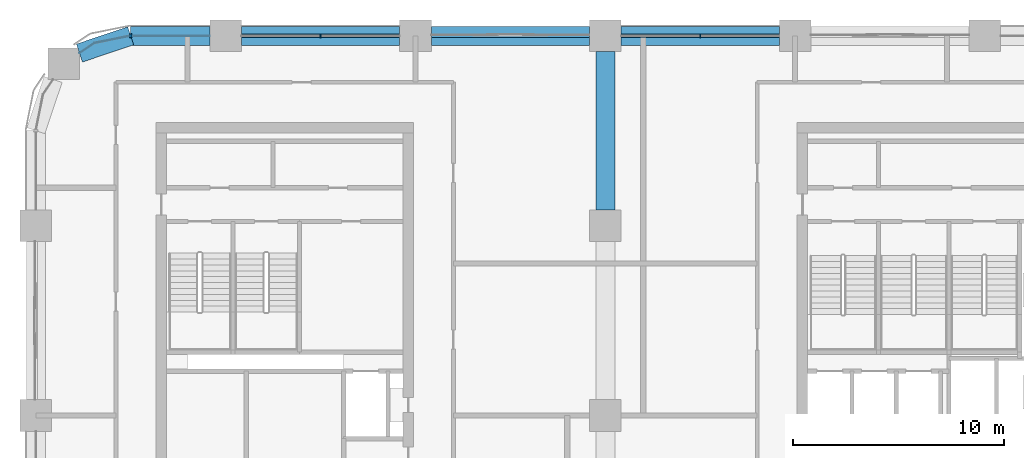
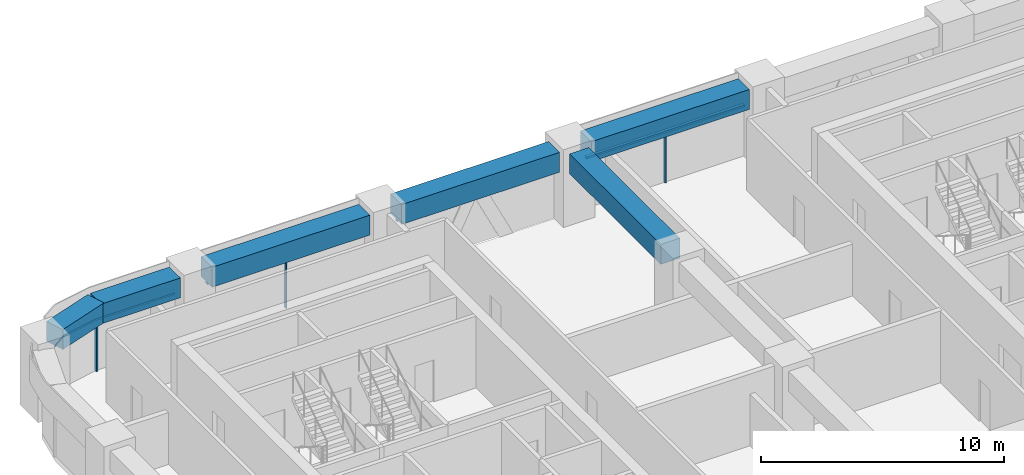
# One storey, part 4 of 18: 7 members, 6 beams, 4 elements without a shape of their own.
"""IFC4 building model written with IfcOpenShell, lengths in metres."""

from ifc_helpers import new_model, si_unit, direction, frame, origin, origin_2d, place, context, subcontext, project, spatial, polyline, rectangle, outline, extrude, material, material_profile, profile_set, type_object, element, aggregate, save


model = new_model("IFC4")

# Units and contexts
model_context = context("Model", 3, precision=1e-05, world=origin(), true_north=direction((0.0, 1.0)))
body_context = subcontext(model_context, "Body", "Model", "MODEL_VIEW")
ifc_project = project(units=[si_unit("LENGTHUNIT", "METRE"), si_unit("AREAUNIT", "SQUARE_METRE"), si_unit("VOLUMEUNIT", "CUBIC_METRE"), si_unit("PLANEANGLEUNIT", "RADIAN"), si_unit("MASSUNIT", "GRAM", prefix="KILO")], contexts=[model_context])

# Site, building, storey
site_placement = place(None, origin())
site = spatial("IfcSite", under=ifc_project, at=site_placement, CompositionType="ELEMENT")
building_placement = place(site_placement, origin())
building = spatial("IfcBuilding", under=site, at=building_placement, Name="Tessera Arch", CompositionType="ELEMENT")
storey_placement = place(building_placement, frame((0.0, 0.0, 185.60009765625)))
storey = spatial("IfcBuildingStorey", under=building, at=storey_placement, Name="L44", CompositionType="ELEMENT", Elevation=185.60009765625)

# Curtain wall, member
ifc_material_1 = material(Name="CW1 curtain wall")
curtain_wall_type_1 = type_object("IfcCurtainWallType", Name="CW1 curtain wall", PredefinedType="NOTDEFINED", material=ifc_material_1)
curtain_wall_1_placement = place(storey_placement, origin())
curtain_wall_1 = element("IfcCurtainWall", 1, at=curtain_wall_1_placement, inside=storey, type_object=curtain_wall_type_1, Name="CW1 curtain wall N54.0/2 L44", PredefinedType="NOTDEFINED")
ifc_material_2 = material(Name="Anodised aluminium pale metal", Category="aluminium")
ifc_material_profile_1 = material_profile(ifc_material_2, rectangle(XDim=0.159912109375, YDim=0.06005859375, at=origin_2d()), Name="AL 60x160")
ifc_profile_set_1 = profile_set([ifc_material_profile_1], Name="Anodised aluminium pale metal")
member_type_1 = type_object("IfcMemberType", Name="CW1 mullion", PredefinedType="MULLION", material=ifc_profile_set_1)
member_1_placement = place(storey_placement, frame((31.5, 54.0, 0.0), z_axis=(0.0, 0.0, 1.0), x_axis=(0.0, -1.0, 0.0)))
member_1 = element("IfcMember", 2, at=member_1_placement, type_object=member_type_1, Name="CW1 mullion N54.0/2 1", PredefinedType="MULLION", context=body_context, shape_type="SweptSolid", body=[
    extrude(rectangle(XDim=0.159912109375, YDim=0.06005859375, at=origin_2d()), origin(), (0.0, 0.0, 1.0), 2.5),
])

curtain_wall_2_placement = place(storey_placement, origin())
curtain_wall_2 = element("IfcCurtainWall", 3, at=curtain_wall_2_placement, inside=storey, type_object=curtain_wall_type_1, Name="CW1 curtain wall N54.0/4 L44", PredefinedType="NOTDEFINED")
member_2_placement = place(storey_placement, frame((13.5, 54.0, 0.0), z_axis=(0.0, 0.0, 1.0), x_axis=(0.0, -1.0, 0.0)))
member_2 = element("IfcMember", 4, at=member_2_placement, type_object=member_type_1, Name="CW1 mullion N54.0/4 1", PredefinedType="MULLION", context=body_context, shape_type="SweptSolid", body=[
    extrude(rectangle(XDim=0.159912109375, YDim=0.06005859375, at=origin_2d()), origin(), (0.0, 0.0, 1.0), 2.5),
])

# Member
ifc_material_3 = material(Name="Anodised aluminium pale metal", Category="aluminium")
ifc_material_profile_2 = material_profile(ifc_material_3, rectangle(XDim=0.159912109375, YDim=0.10009765625, at=origin_2d()), Name="AL 160x100")
ifc_profile_set_2 = profile_set([ifc_material_profile_2], Name="Anodised aluminium pale metal")
member_type_2 = type_object("IfcMemberType", Name="CW1 transom", PredefinedType="USERDEFINED", material=ifc_profile_set_2)
member_3_placement = place(storey_placement, frame((35.25, 54.0, 2.5498046875), z_axis=(-1.0, 0.0, 0.0), x_axis=(0.0, -1.0, 0.0)))
member_3 = element("IfcMember", 5, at=member_3_placement, type_object=member_type_2, Name="CW1 transom N54.0/2 1.1", ObjectType="TRANSOM", PredefinedType="USERDEFINED", context=body_context, shape_type="SweptSolid", body=[
    extrude(rectangle(XDim=0.159912109375, YDim=0.10009765625, at=origin_2d()), origin(), (0.0, 0.0, 1.0), 7.5),
])

aggregate(curtain_wall_1, [member_1, member_3])

member_4_placement = place(storey_placement, frame((17.25, 54.0, 2.5498046875), z_axis=(-1.0, 0.0, 0.0), x_axis=(0.0, -1.0, 0.0)))
member_4 = element("IfcMember", 6, at=member_4_placement, type_object=member_type_2, Name="CW1 transom N54.0/4 1.1", ObjectType="TRANSOM", PredefinedType="USERDEFINED", context=body_context, shape_type="SweptSolid", body=[
    extrude(rectangle(XDim=0.159912109375, YDim=0.10009765625, at=origin_2d()), origin(), (0.0, 0.0, 1.0), 7.5),
])

aggregate(curtain_wall_2, [member_2, member_4])

# Curtain wall, members
ifc_material_4 = material(Name="CW2 curtain wall")
curtain_wall_type_2 = type_object("IfcCurtainWallType", Name="CW2 curtain wall", PredefinedType="NOTDEFINED", material=ifc_material_4)
curtain_wall_3_placement = place(storey_placement, origin())
curtain_wall_3 = element("IfcCurtainWall", 7, at=curtain_wall_3_placement, inside=storey, type_object=curtain_wall_type_2, Name="CW2 curtain wall N54.0/5 L44", PredefinedType="NOTDEFINED")
ifc_material_5 = material(Name="Anodised aluminium pale metal", Category="aluminium")
ifc_material_profile_3 = material_profile(ifc_material_5, rectangle(XDim=0.199951171875, YDim=0.080078125, at=origin_2d()), Name="AL 80x200")
ifc_profile_set_3 = profile_set([ifc_material_profile_3], Name="Anodised aluminium pale metal")
member_type_3 = type_object("IfcMemberType", Name="CW2 mullion", PredefinedType="MULLION", material=ifc_profile_set_3)
member_5_placement = place(storey_placement, frame((4.5, 54.0, 0.0), z_axis=(0.0, 0.0, 1.0), x_axis=(0.0, -1.0, 0.0)))
member_5 = element("IfcMember", 8, at=member_5_placement, type_object=member_type_3, Name="CW2 mullion N54.0/5 1", PredefinedType="MULLION", context=body_context, shape_type="SweptSolid", body=[
    extrude(rectangle(XDim=0.199951171875, YDim=0.080078125, at=origin_2d()), origin(), (0.0, 0.0, 1.0), 2.5),
])
ifc_material_6 = material(Name="Anodised aluminium pale metal", Category="aluminium")
ifc_material_profile_4 = material_profile(ifc_material_6, rectangle(XDim=0.199951171875, YDim=0.10009765625, at=origin_2d()), Name="AL 200x100")
ifc_profile_set_4 = profile_set([ifc_material_profile_4], Name="Anodised aluminium pale metal")
member_type_4 = type_object("IfcMemberType", Name="CW2 transom", PredefinedType="USERDEFINED", material=ifc_profile_set_4)
member_6_placement = place(storey_placement, frame((0.0, 0.0, 2.5)))
member_6 = element("IfcMember", 9, at=member_6_placement, type_object=member_type_4, Name="CW2 transom N54.0/5 1", ObjectType="TRANSOM", PredefinedType="USERDEFINED", context=body_context, shape_type="SweptSolid", body=[
    extrude(outline(polyline([(4.5009765625, 53.989990234375), (8.25, 53.989990234375), (8.25, 54.010009765625), (4.4990234375, 54.010009765625), (2.77392578125, 53.6669921875), (2.0625, 53.19140625), (2.073486328125, 53.1748046875), (2.78173828125, 53.648193359375), (4.5009765625, 53.989990234375)])), origin(), (0.0, 0.0, 1.0), 0.099853515625),
])
aggregate(curtain_wall_3, [member_5, member_6])

# Curtain wall, member
ifc_material_7 = material(Name="CW3 curtain wall")
curtain_wall_type_3 = type_object("IfcCurtainWallType", Name="CW3 curtain wall", PredefinedType="NOTDEFINED", material=ifc_material_7)
curtain_wall_4_placement = place(storey_placement, origin())
curtain_wall_4 = element("IfcCurtainWall", 10, at=curtain_wall_4_placement, inside=storey, type_object=curtain_wall_type_3, Name="CW3 curtain wall N54.0/3 L44", PredefinedType="NOTDEFINED")
ifc_material_8 = material(Name="Anodised aluminium pale metal", Category="aluminium")
ifc_material_profile_5 = material_profile(ifc_material_8, rectangle(XDim=0.139892578125, YDim=0.10009765625, at=origin_2d()), Name="AL 140x100")
ifc_profile_set_5 = profile_set([ifc_material_profile_5], Name="Anodised aluminium pale metal")
member_type_5 = type_object("IfcMemberType", Name="CW3 transom", PredefinedType="USERDEFINED", material=ifc_profile_set_5)
member_7_placement = place(storey_placement, frame((26.25, 54.0, 2.5498046875), z_axis=(-1.0, 0.0, 0.0), x_axis=(0.0, -1.0, 0.0)))
member_7 = element("IfcMember", 11, at=member_7_placement, type_object=member_type_5, Name="CW3 transom N54.0/3 1.1", ObjectType="TRANSOM", PredefinedType="USERDEFINED", context=body_context, shape_type="SweptSolid", body=[
    extrude(rectangle(XDim=0.139892578125, YDim=0.10009765625, at=origin_2d()), origin(), (0.0, 0.0, 1.0), 7.5),
])
aggregate(curtain_wall_4, [member_7])

# Beams
ifc_material_9 = material(Name="Concrete C70/85", Category="concrete")
ifc_material_profile_6 = material_profile(ifc_material_9, rectangle(XDim=0.89990234375, YDim=1.0, at=origin_2d()), Name="RC spandrel beam 900 x 1000 Concrete C70/85")
ifc_profile_set_6 = profile_set([ifc_material_profile_6], Name="Concrete C70/85")
beam_type = type_object("IfcBeamType", Name="RC spandrel beam 900 x 1000 Concrete C70/85", PredefinedType="BEAM", material=ifc_profile_set_6)
for number, where, z_axis, x_axis, name in (
    (12, (35.25, 54.0, 3.099853515625), (-1.0, 0.0, 0.0), (0.0, -1.0, 0.0), "Spandrel beam L44 N54.0/2"),
    (13, (26.25, 54.0, 3.099853515625), (-1.0, 0.0, 0.0), (0.0, -1.0, 0.0), "Spandrel beam L44 N54.0/3"),
    (14, (17.25, 54.0, 3.099853515625), (-1.0, 0.0, 0.0), (0.0, -1.0, 0.0), "Spandrel beam L44 N54.0/4"),
):
    element("IfcBeam", number, at=place(storey_placement, frame(where, z_axis=z_axis, x_axis=x_axis)), inside=storey, type_object=beam_type, Name=name, PredefinedType="BEAM", context=body_context, shape_type="SweptSolid", body=[
        extrude(rectangle(XDim=0.89990234375, YDim=1.0, at=origin_2d()), origin(), (0.0, 0.0, 1.0), 7.5),
    ])
beam_1_placement = place(storey_placement, frame((8.25, 54.0, 3.099853515625), z_axis=(-1.0, 0.0, 0.0), x_axis=(0.0, -1.0, 0.0)))
element("IfcBeam", 15, at=beam_1_placement, inside=storey, type_object=beam_type, Name="Spandrel beam L44 N54.0/5.1", PredefinedType="BEAM", context=body_context, shape_type="SweptSolid", body=[
    extrude(rectangle(XDim=0.89990234375, YDim=1.0, at=origin_2d()), origin(), (0.0, 0.0, 1.0), 3.75),
])
beam_2_placement = place(storey_placement, frame((4.5, 54.0, 3.099853515625), z_axis=(-0.947947973234, -0.31842525032, 0.0), x_axis=(0.31842525032, -0.947947973234, 0.0)))
element("IfcBeam", 16, at=beam_2_placement, inside=storey, type_object=beam_type, Name="Spandrel beam L44 N54.0/5.2", PredefinedType="BEAM", context=body_context, shape_type="SweptSolid", body=[
    extrude(rectangle(XDim=0.89990234375, YDim=1.0, at=origin_2d()), origin(), (0.0, 0.0, 1.0), 2.5654296875),
])
beam_3_placement = place(storey_placement, frame((27.0, 45.75, 3.099853515625), z_axis=(0.0, 1.0, 0.0), x_axis=(-1.0, 0.0, 0.0)))
element("IfcBeam", 17, at=beam_3_placement, inside=storey, type_object=beam_type, Name="Interface beam L44 I0C4F-C4G", PredefinedType="BEAM", context=body_context, shape_type="SweptSolid", body=[
    extrude(rectangle(XDim=0.89990234375, YDim=1.0, at=origin_2d()), origin(), (0.0, 0.0, 1.0), 7.5),
])

save(model, "model.ifc")
